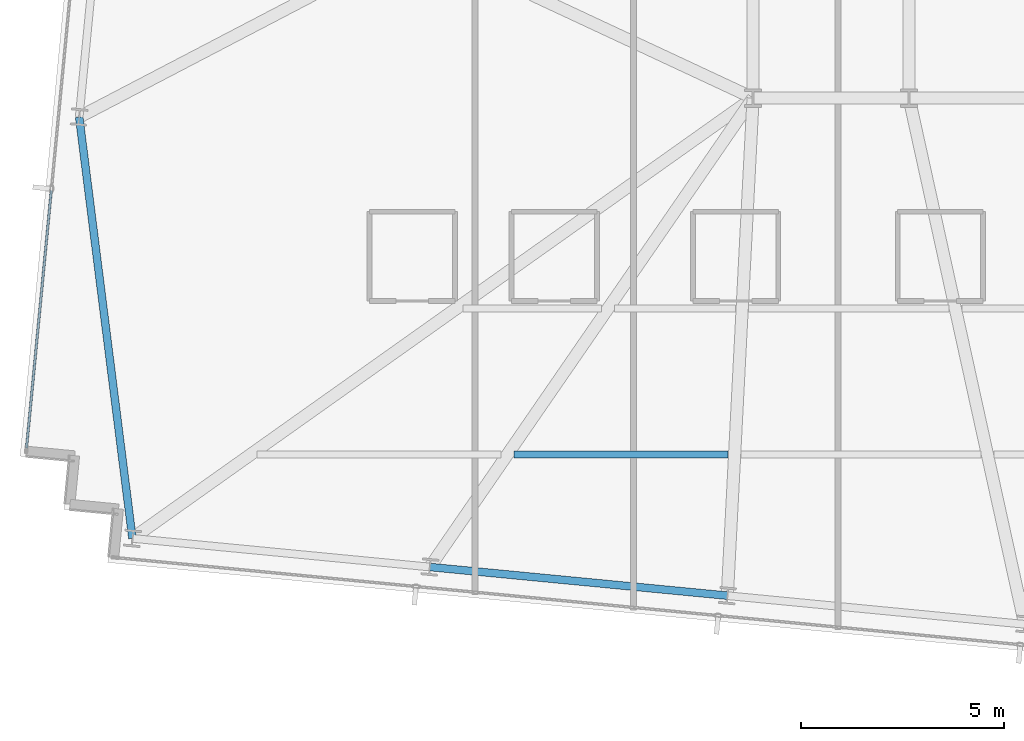
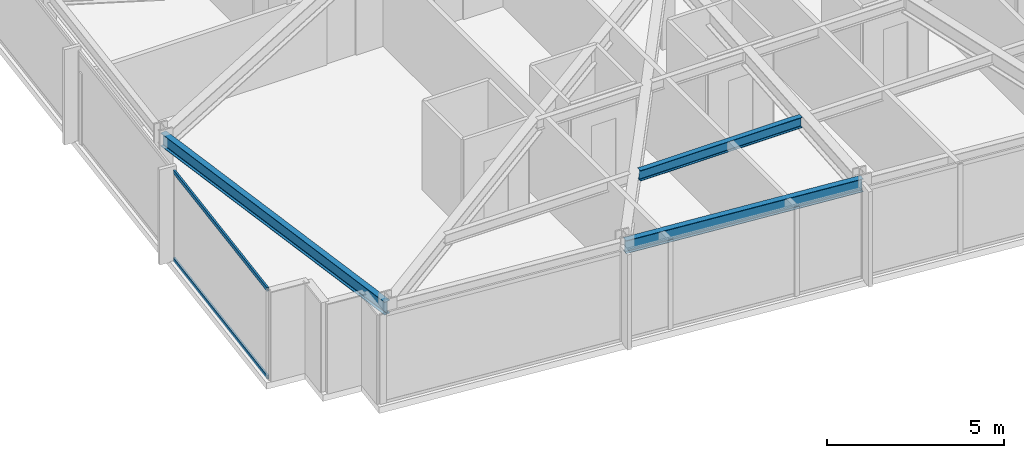
# One storey, part 3 of 38: 3 beams, 2 members, 1 element without a shape of its own.
"""IFC4 building model written with IfcOpenShell, lengths in metres."""

from ifc_helpers import new_model, si_unit, direction, frame, origin, origin_2d, place, context, subcontext, project, spatial, hollow_rectangle, i_section, extrude, material, material_profile, profile_set, type_object, element, aggregate, save


model = new_model("IFC4")

# Units and contexts
model_context = context("Model", 3, precision=1e-05, world=origin(), true_north=direction((0.0, 1.0)))
body_context = subcontext(model_context, "Body", "Model", "MODEL_VIEW")
ifc_project = project(units=[si_unit("LENGTHUNIT", "METRE"), si_unit("AREAUNIT", "SQUARE_METRE"), si_unit("VOLUMEUNIT", "CUBIC_METRE"), si_unit("PLANEANGLEUNIT", "RADIAN"), si_unit("MASSUNIT", "GRAM", prefix="KILO")], contexts=[model_context])

# Site, building, storey
site_placement = place(None, origin())
site = spatial("IfcSite", under=ifc_project, at=site_placement, CompositionType="ELEMENT")
building_placement = place(site_placement, origin())
building = spatial("IfcBuilding", under=site, at=building_placement, Name="Yelkora Congress Tower", CompositionType="ELEMENT")
storey_placement = place(building_placement, frame((0.0, 0.0, 178.699951171875)))
storey = spatial("IfcBuildingStorey", under=building, at=storey_placement, Name="L49", CompositionType="ELEMENT", Elevation=178.699951171875)

# Beams
ifc_material_1 = material(Name="Steel S355J2", Category="steel")
ifc_material_profile_1 = material_profile(ifc_material_1, i_section(OverallWidth=0.169921875, OverallDepth=0.360107421875, WebThickness=0.008056640625, FlangeThickness=0.0126953125, FilletRadius=0.01806640625, at=origin_2d()), Name="IPE 360")
ifc_profile_set_1 = profile_set([ifc_material_profile_1], Name="Steel S355J2")
beam_type_1 = type_object("IfcBeamType", Name="BM-JOIST-IPE360", PredefinedType="JOIST", material=ifc_profile_set_1)
beam_1_placement = place(storey_placement, frame((13.310546875, 16.421142578125, 2.900146484375), z_axis=(1.0, 0.0, 0.0), x_axis=(0.0, 1.0, 0.0)))
element("IfcBeam", 1, at=beam_1_placement, inside=storey, type_object=beam_type_1, Name="L49 Composite Floor Joist 6", PredefinedType="JOIST", context=body_context, shape_type="SweptSolid", body=[
    extrude(i_section(OverallWidth=0.169921875, OverallDepth=0.360107421875, WebThickness=0.008056640625, FlangeThickness=0.0126953125, FilletRadius=0.01806640625, at=origin_2d()), origin(), (0.0, 0.0, 1.0), 5.275146484375),
])
ifc_material_profile_2 = material_profile(ifc_material_1, i_section(OverallWidth=0.18994140625, OverallDepth=0.449951171875, WebThickness=0.009521484375, FlangeThickness=0.0146484375, FilletRadius=0.02099609375, at=origin_2d()), Name="IPE 450")
ifc_profile_set_2 = profile_set([ifc_material_profile_2], Name="Steel S355J2")
beam_type_2 = type_object("IfcBeamType", Name="BM-SPAN-IPE450", PredefinedType="SPANDREL", material=ifc_profile_set_2)
beam_2_placement = place(storey_placement, frame((2.607421875, 24.730712890625, 2.85498046875), z_axis=(0.125457133578, -0.992099041243, 0.0), x_axis=(0.992099041243, 0.125457133578, 0.0)))
element("IfcBeam", 2, at=beam_2_placement, inside=storey, type_object=beam_type_2, Name="L49 Perimeter Beam 1", PredefinedType="SPANDREL", context=body_context, shape_type="SweptSolid", body=[
    extrude(i_section(OverallWidth=0.18994140625, OverallDepth=0.449951171875, WebThickness=0.009521484375, FlangeThickness=0.0146484375, FilletRadius=0.02099609375, at=origin_2d()), origin(), (0.0, 0.0, 1.0), 10.455810546875),
])
beam_3_placement = place(storey_placement, frame((11.242431640625, 13.652099609375, 2.85498046875), z_axis=(0.995397409467, -0.095833173935, 0.0), x_axis=(0.095833173935, 0.995397409467, 0.0)))
element("IfcBeam", 3, at=beam_3_placement, inside=storey, type_object=beam_type_2, Name="L49 Perimeter Beam 3", PredefinedType="SPANDREL", context=body_context, shape_type="SweptSolid", body=[
    extrude(i_section(OverallWidth=0.18994140625, OverallDepth=0.449951171875, WebThickness=0.009521484375, FlangeThickness=0.0146484375, FilletRadius=0.02099609375, at=origin_2d()), origin(), (0.0, 0.0, 1.0), 7.357421875),
])

# Curtain wall, members
ifc_material_2 = material(Name="Anodised aluminium and insulated glass", Category="aluminium")
curtain_wall_type = type_object("IfcCurtainWallType", Name="CW-SYS-B3", PredefinedType="NOTDEFINED", material=ifc_material_2)
curtain_wall_placement = place(storey_placement, origin())
curtain_wall = element("IfcCurtainWall", 4, at=curtain_wall_placement, inside=storey, type_object=curtain_wall_type, Name="L49 Unitised Curtain Wall 5", PredefinedType="NOTDEFINED")
ifc_material_3 = material(Name="Anodised aluminium 6063-T6", Category="aluminium")
ifc_material_profile_3 = material_profile(ifc_material_3, hollow_rectangle(XDim=0.06005859375, YDim=0.1298828125, WallThickness=0.00390625, at=origin_2d()), Name="ALU 60x130x4")
ifc_profile_set_3 = profile_set([ifc_material_profile_3], Name="Anodised aluminium 6063-T6")
member_type = type_object("IfcMemberType", Name="MEM-TR-B3", PredefinedType="USERDEFINED", material=ifc_profile_set_3)
member_1_placement = place(storey_placement, frame((1.31005859375, 16.57763671875, 0.030029296875), z_axis=(0.095834923543, 0.99539724102, 0.0), x_axis=(-0.99539724102, 0.095834923543, 0.0)))
member_1 = element("IfcMember", 5, at=member_1_placement, type_object=member_type, Name="CW-B3 transom 1.1", ObjectType="TRANSOM", PredefinedType="USERDEFINED", context=body_context, shape_type="SweptSolid", body=[
    extrude(hollow_rectangle(XDim=0.06005859375, YDim=0.1298828125, WallThickness=0.00390625, at=origin_2d()), origin(), (0.0, 0.0, 1.0), 6.37890625),
])
member_2_placement = place(storey_placement, frame((1.31005859375, 16.57763671875, 3.050048828125), z_axis=(0.095834923543, 0.99539724102, 0.0), x_axis=(-0.99539724102, 0.095834923543, 0.0)))
member_2 = element("IfcMember", 6, at=member_2_placement, type_object=member_type, Name="CW-B3 transom 1.2", ObjectType="TRANSOM", PredefinedType="USERDEFINED", context=body_context, shape_type="SweptSolid", body=[
    extrude(hollow_rectangle(XDim=0.06005859375, YDim=0.1298828125, WallThickness=0.00390625, at=origin_2d()), origin(), (0.0, 0.0, 1.0), 6.37890625),
])
aggregate(curtain_wall, [member_1, member_2])

save(model, "model.ifc")
